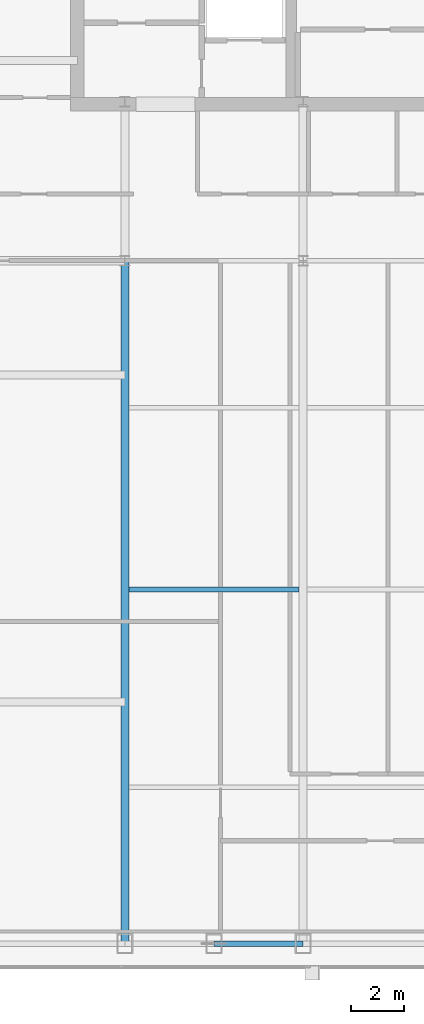
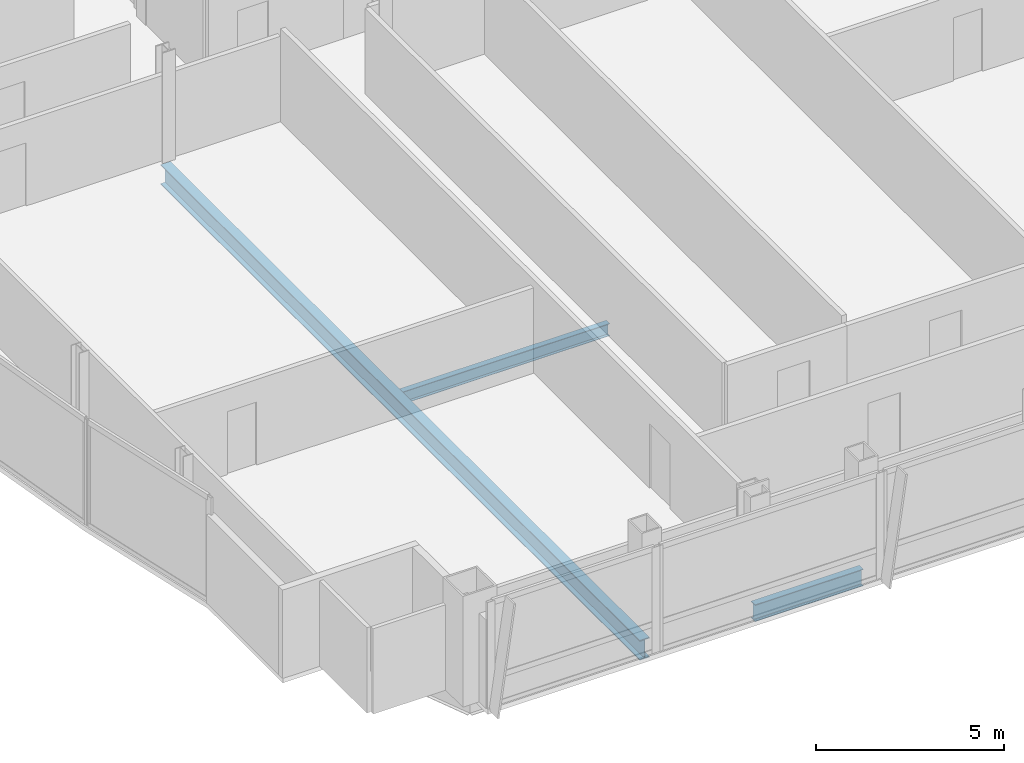
# One storey, part 7 of 30: 3 beams.
"""IFC4 building model written with IfcOpenShell, lengths in metres."""

from ifc_helpers import new_model, si_unit, direction, frame, origin, origin_2d, place, context, subcontext, project, spatial, i_section, extrude, material, material_profile, profile_set, type_object, element, save


model = new_model("IFC4")

# Units and contexts
model_context = context("Model", 3, precision=1e-05, world=origin(), true_north=direction((0.0, 1.0)))
body_context = subcontext(model_context, "Body", "Model", "MODEL_VIEW")
ifc_project = project(units=[si_unit("LENGTHUNIT", "METRE"), si_unit("AREAUNIT", "SQUARE_METRE"), si_unit("VOLUMEUNIT", "CUBIC_METRE"), si_unit("PLANEANGLEUNIT", "RADIAN"), si_unit("MASSUNIT", "GRAM", prefix="KILO")], contexts=[model_context])

# Site, building, storey
site_placement = place(None, origin())
site = spatial("IfcSite", under=ifc_project, at=site_placement, CompositionType="ELEMENT")
building_placement = place(site_placement, origin())
building = spatial("IfcBuilding", under=site, at=building_placement, Name="Khoronbel Lancet Exchange", CompositionType="ELEMENT")
storey_placement = place(building_placement, frame((0.0, 0.0, 269.800048828125)))
storey = spatial("IfcBuildingStorey", under=building, at=storey_placement, Name="L69", CompositionType="ELEMENT", Elevation=269.800048828125)

# Beams
ifc_material = material(Name="Steel S355", Category="steel")
ifc_material_profile_1 = material_profile(ifc_material, i_section(OverallWidth=0.300048828125, OverallDepth=0.64990234375, WebThickness=0.01611328125, FlangeThickness=0.031005859375, at=origin_2d()), Name="HEB 650")
ifc_profile_set_1 = profile_set([ifc_material_profile_1], Name="Steel S355")
beam_type_1 = type_object("IfcBeamType", Name="BM-BG4", PredefinedType="BEAM", material=ifc_profile_set_1)
beam_1_placement = place(storey_placement, frame((18.22509765625, 10.14990234375, -0.485107421875), z_axis=(0.0, 1.0, 0.0), x_axis=(-1.0, 0.0, 0.0)))
element("IfcBeam", 1, at=beam_1_placement, inside=storey, type_object=beam_type_1, Name="Level L69 south primary girder GS1", PredefinedType="BEAM", context=body_context, shape_type="SweptSolid", body=[
    extrude(i_section(OverallWidth=0.300048828125, OverallDepth=0.64990234375, WebThickness=0.01611328125, FlangeThickness=0.031005859375, at=origin_2d()), origin(), (0.0, 0.0, 1.0), 25.550048828125),
])
ifc_material_profile_2 = material_profile(ifc_material, i_section(OverallWidth=0.179931640625, OverallDepth=0.39990234375, WebThickness=0.008544921875, FlangeThickness=0.013427734375, at=origin_2d()), Name="IPE 400")
ifc_profile_set_2 = profile_set([ifc_material_profile_2], Name="Steel S355")
beam_type_2 = type_object("IfcBeamType", Name="BM-BJ5", PredefinedType="JOIST", material=ifc_profile_set_2)
beam_2_placement = place(storey_placement, frame((18.375, 23.39990234375, -0.360107421875), z_axis=(1.0, 0.0, 0.0), x_axis=(0.0, 1.0, 0.0)))
element("IfcBeam", 2, at=beam_2_placement, inside=storey, type_object=beam_type_2, Name="Level L69 secondary composite joist J06", PredefinedType="JOIST", context=body_context, shape_type="SweptSolid", body=[
    extrude(i_section(OverallWidth=0.179931640625, OverallDepth=0.39990234375, WebThickness=0.008544921875, FlangeThickness=0.013427734375, at=origin_2d()), origin(), (0.0, 0.0, 1.0), 6.375),
])
ifc_material_profile_3 = material_profile(ifc_material, i_section(OverallWidth=0.2099609375, OverallDepth=0.550048828125, WebThickness=0.010986328125, FlangeThickness=0.01708984375, at=origin_2d()), Name="IPE 550")
ifc_profile_set_3 = profile_set([ifc_material_profile_3], Name="Steel S355")
beam_type_3 = type_object("IfcBeamType", Name="BM-BSP3", PredefinedType="SPANDREL", material=ifc_profile_set_3)
beam_3_placement = place(storey_placement, frame((21.5625, 10.14990234375, -0.43505859375), z_axis=(1.0, 0.0, 0.0), x_axis=(0.0, 1.0, 0.0)))
element("IfcBeam", 3, at=beam_3_placement, inside=storey, type_object=beam_type_3, Name="Level L69 perimeter spandrel beam SP03", PredefinedType="SPANDREL", context=body_context, shape_type="SweptSolid", body=[
    extrude(i_section(OverallWidth=0.2099609375, OverallDepth=0.550048828125, WebThickness=0.010986328125, FlangeThickness=0.01708984375, at=origin_2d()), origin(), (0.0, 0.0, 1.0), 3.33740234375),
])

save(model, "model.ifc")
